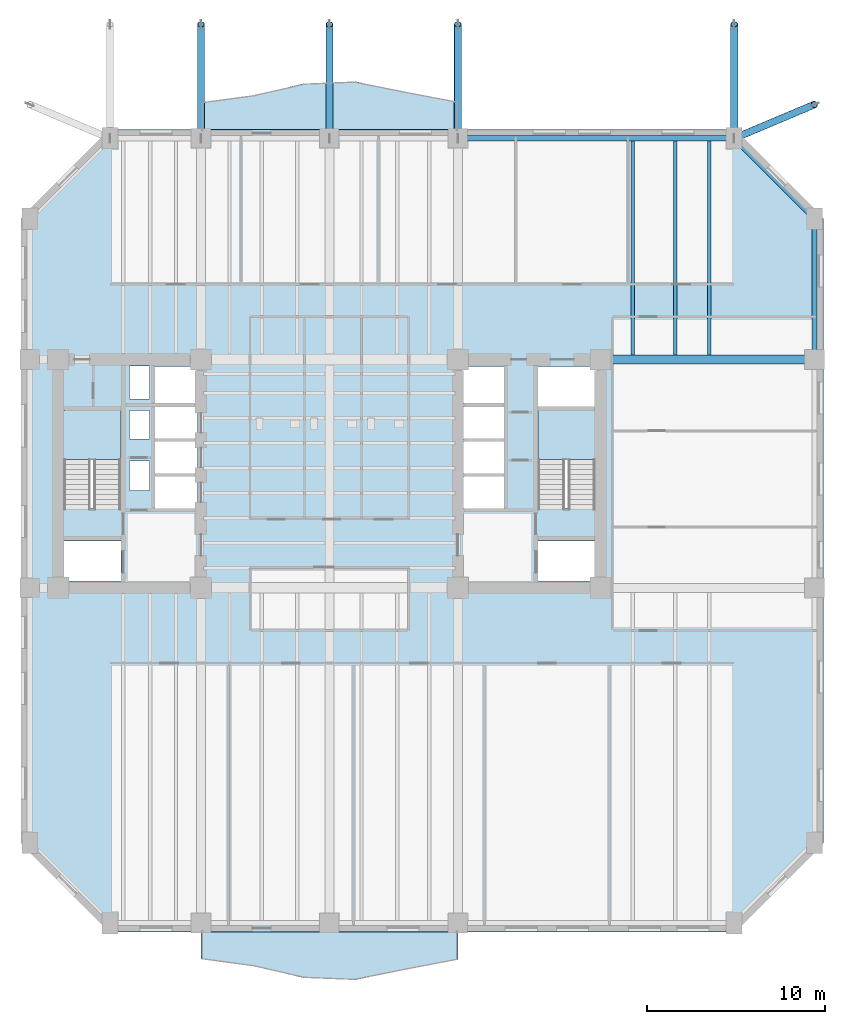
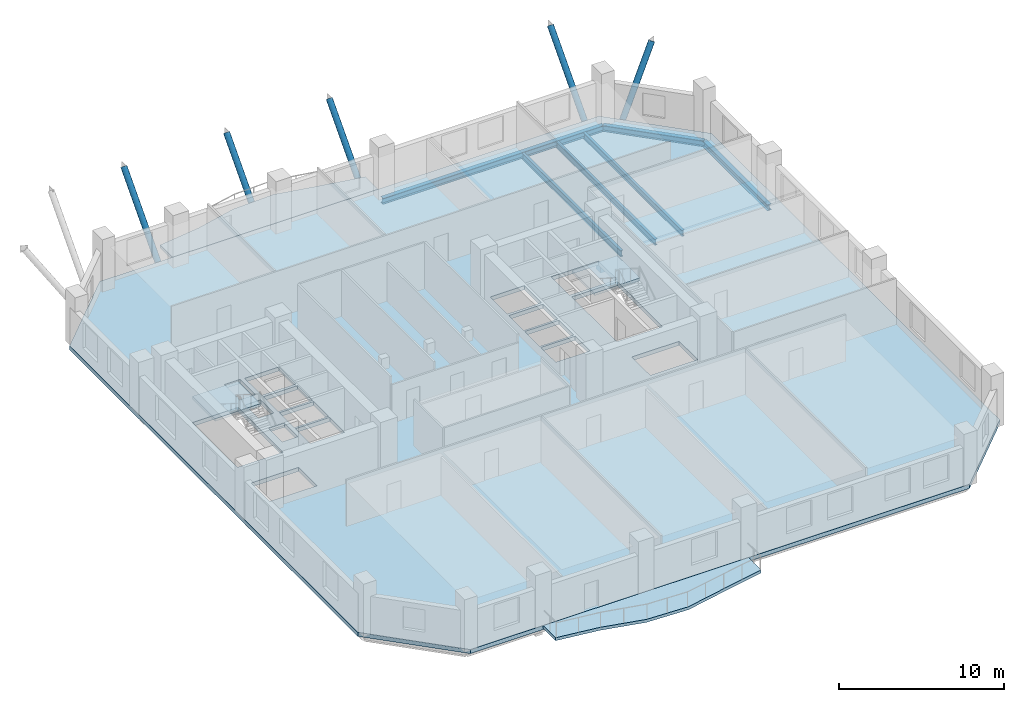
# One storey, part 2 of 12: 7 beams, 5 members, 5 slabs, 2 elements without a shape of their own.
"""IFC4 building model written with IfcOpenShell, lengths in metres."""

import ifcopenshell
import ifcopenshell.guid

model = None  # the IFC model being written
_history = None  # IfcOwnerHistory: only IFC2X3 demands one
_inside = {}  # id of a spatial element -> (the spatial element, [elements in it])
_under = {}  # id of a project, library or spatial element -> (it, [spatial elements below it])
_declared = {}  # id of a project -> (the project, [libraries it declares])
_typed = {}  # id of a type object -> (the type object, [elements of that type])
_made_of = {}  # id of a material, layer set ... -> (it, [elements and type objects made of it])


def new_model(schema):
    """Start an empty IFC model of exactly this schema.

    Asked for "IFC4X3", IfcOpenShell would pick the latest addendum, in which some entities
    have other attributes; the version numbers below select the first issue.
    IFC2X3 requires an IfcOwnerHistory on every rooted entity: one is made here for all.
    """
    global model, _history
    if schema == "IFC4X3":
        model = ifcopenshell.file(schema_version=(4, 3, 0, 0))
    else:
        model = ifcopenshell.file(schema=schema)
    _inside.clear()
    _under.clear()
    _declared.clear()
    _typed.clear()
    _made_of.clear()
    _history = None
    if model.schema == "IFC2X3":
        org = make("IfcOrganization", Name="unknown")
        user = make(
            "IfcPersonAndOrganization",
            ThePerson=make("IfcPerson", FamilyName="unknown"),
            TheOrganization=org,
        )
        app = make(
            "IfcApplication",
            ApplicationDeveloper=org,
            Version="unknown",
            ApplicationFullName="unknown",
            ApplicationIdentifier="unknown",
        )
        _history = make(
            "IfcOwnerHistory",
            OwningUser=user,
            OwningApplication=app,
            ChangeAction="ADDED",
            CreationDate=0,
        )
    return model


def make(cls, **values):
    """One entity of the class cls with the attributes given. An attribute that is None is left unset."""
    return model.create_entity(
        cls, **{name: value for name, value in values.items() if value is not None}
    )


def rooted(cls, **values):
    """An entity with a GlobalId (a new one), such as an element, a storey or a relation."""
    return make(cls, GlobalId=ifcopenshell.guid.new(), OwnerHistory=_history, **values)


def si_unit(unit_type, name, prefix=None):
    """IfcSIUnit, for example si_unit("LENGTHUNIT", "METRE", prefix="MILLI")."""
    return make("IfcSIUnit", UnitType=unit_type, Prefix=prefix, Name=name)


def assignment(units):
    """IfcUnitAssignment: the units of a project."""
    return None if units is None else make("IfcUnitAssignment", Units=units)


def point(xyz):
    """IfcCartesianPoint."""
    return None if xyz is None else make("IfcCartesianPoint", Coordinates=xyz)


def direction(xyz):
    """IfcDirection."""
    return None if xyz is None else make("IfcDirection", DirectionRatios=xyz)


def frame(location, z_axis=None, x_axis=None):
    """IfcAxis2Placement3D, a coordinate frame: its origin and axes. An axis left out is left unset."""
    return make(
        "IfcAxis2Placement3D",
        Location=point(location),
        Axis=direction(z_axis),
        RefDirection=direction(x_axis),
    )


def frame_2d(location, x_axis=None):
    """IfcAxis2Placement2D, a coordinate frame in the plane: its origin and x axis."""
    return make(
        "IfcAxis2Placement2D", Location=point(location), RefDirection=direction(x_axis)
    )


def origin():
    """The frame at (0, 0, 0) with its axes left unset."""
    return frame((0.0, 0.0, 0.0))


def origin_2d():
    """The frame at (0, 0) in the plane with its x axis left unset."""
    return frame_2d((0.0, 0.0))


def place(relative_to, where):
    """IfcLocalPlacement: puts the frame where relative to a parent placement (None: the world)."""
    return make(
        "IfcLocalPlacement", PlacementRelTo=relative_to, RelativePlacement=where
    )


def context(
    kind, dimensions, precision=None, world=None, true_north=None, identifier=None
):
    """IfcGeometricRepresentationContext, for example the 3D "Model" context."""
    return make(
        "IfcGeometricRepresentationContext",
        ContextIdentifier=identifier,
        ContextType=kind,
        CoordinateSpaceDimension=dimensions,
        Precision=precision,
        WorldCoordinateSystem=world,
        TrueNorth=true_north,
    )


def subcontext(parent, identifier, kind, view, scale=None):
    """IfcGeometricRepresentationSubContext, for example "Body" below "Model"."""
    return make(
        "IfcGeometricRepresentationSubContext",
        ContextIdentifier=identifier,
        ContextType=kind,
        ParentContext=parent,
        TargetScale=scale,
        TargetView=view,
    )


def project(units=None, contexts=None):
    """IfcProject with its units and contexts."""
    return rooted(
        "IfcProject",
        Name="project",
        RepresentationContexts=contexts,
        UnitsInContext=assignment(units),
    )


def spatial(cls, under=None, at=None, **own):
    """A site, building, storey or space (cls), placed at a placement, below another one or the project."""
    s = rooted(cls, ObjectPlacement=at, **own)
    if under is not None:
        _under.setdefault(under.id(), (under, []))[1].append(s)
    return s


def polyline(points):
    """IfcPolyline through the points."""
    return make("IfcPolyline", Points=[point(p) for p in points])


def profile(cls, at=None, kind="AREA", **sizes):
    """A parametric profile (cls). Its sizes go by their IFC names, for example OverallWidth=200.0."""
    return make(cls, ProfileType=kind, Position=at, **sizes)


def rectangle(**sizes):
    """IfcRectangleProfileDef."""
    return profile("IfcRectangleProfileDef", **sizes)


def hollow_circle(**sizes):
    """IfcCircleHollowProfileDef."""
    return profile("IfcCircleHollowProfileDef", **sizes)


def i_section(**sizes):
    """IfcIShapeProfileDef."""
    return profile("IfcIShapeProfileDef", **sizes)


def outline(outer, holes=None, kind="AREA"):
    """IfcArbitraryClosedProfileDef: a profile drawn as a closed curve; with holes, ...WithVoids."""
    if holes is None:
        return make("IfcArbitraryClosedProfileDef", ProfileType=kind, OuterCurve=outer)
    return make(
        "IfcArbitraryProfileDefWithVoids",
        ProfileType=kind,
        OuterCurve=outer,
        InnerCurves=holes,
    )


def extrude(swept, where, along, depth):
    """IfcExtrudedAreaSolid: the profile swept, set in the frame where, extruded along a direction by depth."""
    return make(
        "IfcExtrudedAreaSolid",
        SweptArea=swept,
        Position=where,
        ExtrudedDirection=direction(along),
        Depth=depth,
    )


def shape(context_of_items, identifier, shape_type, items):
    """IfcShapeRepresentation: the items that make up one representation, for example the "Body"."""
    return make(
        "IfcShapeRepresentation",
        ContextOfItems=context_of_items,
        RepresentationIdentifier=identifier,
        RepresentationType=shape_type,
        Items=items,
    )


def material(Name=None, Category=None):
    """IfcMaterial."""
    return make("IfcMaterial", Name=Name, Category=Category)


def layer(
    of_material, thickness, ventilated=None, Name=None, Category=None, Priority=None
):
    """IfcMaterialLayer: one layer of a wall or slab, of a material (None: an air gap)."""
    return make(
        "IfcMaterialLayer",
        Material=of_material,
        LayerThickness=thickness,
        IsVentilated=ventilated,
        Name=Name,
        Category=Category,
        Priority=Priority,
    )


def layer_set(layers, Name=None):
    """IfcMaterialLayerSet."""
    return make("IfcMaterialLayerSet", MaterialLayers=layers, LayerSetName=Name)


def material_profile(
    of_material, cross_section, Name=None, Category=None, Priority=None
):
    """IfcMaterialProfile: a cross section and its material."""
    return make(
        "IfcMaterialProfile",
        Name=Name,
        Material=of_material,
        Profile=cross_section,
        Priority=Priority,
        Category=Category,
    )


def profile_set(profiles, Name=None, composite=None):
    """IfcMaterialProfileSet."""
    return make(
        "IfcMaterialProfileSet",
        Name=Name,
        MaterialProfiles=profiles,
        CompositeProfile=composite,
    )


def made_of(thing, what):
    """Note that an element or type object is made of a material, layer set ...; save() writes the relation."""
    if what is not None:
        _made_of.setdefault(what.id(), (what, []))[1].append(thing)
    return thing


def type_object(cls, material=None, **own):
    """A type object (cls), such as IfcWallType, which elements share."""
    return made_of(rooted(cls, **own), material)


def element(
    cls,
    number,
    at=None,
    inside=None,
    cuts=None,
    type_object=None,
    material=None,
    context=None,
    identifier="Body",
    shape_type=None,
    held_by="IfcProductDefinitionShape",
    body=None,
    shapes=None,
    **own,
):
    """One element of the class cls, such as IfcWall. Its Tag is "e" and its number.

    at: its placement. inside: the storey or other place that contains it. cuts: it is an
    opening in that element (IfcRelVoidsElement). A single representation is given by context,
    identifier, shape_type and body (its items); several are given by shapes. held_by: the class
    of the entity that holds the representations. save() writes the other relations.
    """
    e = rooted(cls, Tag="e%d" % number, ObjectPlacement=at, **own)
    if body is not None:
        shapes = [shape(context, identifier, shape_type, body)]
    if shapes is not None:
        e.Representation = make(held_by, Representations=shapes)
    if inside is not None:
        _inside.setdefault(inside.id(), (inside, []))[1].append(e)
    if cuts is not None:
        rooted(
            "IfcRelVoidsElement", RelatingBuildingElement=cuts, RelatedOpeningElement=e
        )
    if type_object is not None:
        _typed.setdefault(type_object.id(), (type_object, []))[1].append(e)
    return made_of(e, material)


def aggregate(whole, parts):
    """IfcRelAggregates: a whole, such as a stair, and the parts it consists of."""
    return rooted("IfcRelAggregates", RelatingObject=whole, RelatedObjects=parts)


def save(model, path):
    """Write the relations noted so far, then the file.

    IfcRelAggregates (storeys below a building ...), IfcRelContainedInSpatialStructure (elements
    in a storey), IfcRelDefinesByType, IfcRelAssociatesMaterial and IfcRelDeclares: one each for
    every whole, place, type object, material and project.
    """
    for whole, parts in _under.values():
        aggregate(whole, parts)
    for where, things in _inside.values():
        rooted(
            "IfcRelContainedInSpatialStructure",
            RelatedElements=things,
            RelatingStructure=where,
        )
    for kind, things in _typed.values():
        rooted("IfcRelDefinesByType", RelatedObjects=things, RelatingType=kind)
    for what, things in _made_of.values():
        rooted("IfcRelAssociatesMaterial", RelatedObjects=things, RelatingMaterial=what)
    for by, libraries in _declared.values():
        rooted("IfcRelDeclares", RelatingContext=by, RelatedDefinitions=libraries)
    model.write(path)


model = new_model("IFC4")

# Units and contexts
model_context = context("Model", 3, precision=1e-05, world=origin(), true_north=direction((0.0, 1.0)))
body_context = subcontext(model_context, "Body", "Model", "MODEL_VIEW")
ifc_project = project(units=[si_unit("LENGTHUNIT", "METRE"), si_unit("AREAUNIT", "SQUARE_METRE"), si_unit("VOLUMEUNIT", "CUBIC_METRE"), si_unit("PLANEANGLEUNIT", "RADIAN"), si_unit("MASSUNIT", "GRAM", prefix="KILO")], contexts=[model_context])

# Site, building, storey
site_placement = place(None, origin())
site = spatial("IfcSite", under=ifc_project, at=site_placement, CompositionType="ELEMENT")
building_placement = place(site_placement, origin())
building = spatial("IfcBuilding", under=site, at=building_placement, Name="Kranthara Brick Stack", CompositionType="ELEMENT")
storey_placement = place(building_placement, frame((0.0, 0.0, 67.199951171875)))
storey = spatial("IfcBuildingStorey", under=building, at=storey_placement, Name="L16", CompositionType="ELEMENT", Elevation=67.199951171875)

# Beams
ifc_material_1 = material(Name="Post-tensioned concrete C45/55", Category="concrete")
ifc_material_profile_1 = material_profile(ifc_material_1, rectangle(XDim=0.5, YDim=0.75, at=origin_2d()), Name="PT 500x750")
ifc_profile_set_1 = profile_set([ifc_material_profile_1], Name="Post-tensioned concrete C45/55")
beam_type_1 = type_object("IfcBeamType", Name="BM-FLR-PT750", PredefinedType="BEAM", material=ifc_profile_set_1)
beam_1_placement = place(storey_placement, frame((43.199951171875, 33.60009765625, -0.675048828125), z_axis=(1.0, 0.0, 0.0), x_axis=(0.0, 1.0, 0.0)))
element("IfcBeam", 1, at=beam_1_placement, inside=storey, type_object=beam_type_1, Name="L16 Primary Grid Girder 033", PredefinedType="BEAM", context=body_context, shape_type="SweptSolid", body=[
    extrude(rectangle(XDim=0.5, YDim=0.75, at=origin_2d()), origin(), (0.0, 0.0, 1.0), 12.0),
])
ifc_material_2 = material(Name="Steel S355", Category="steel")
ifc_material_profile_2 = material_profile(ifc_material_2, i_section(OverallWidth=0.18994140625, OverallDepth=0.449951171875, WebThickness=0.009521484375, FlangeThickness=0.0146484375, at=origin_2d()), Name="IPE 450")
ifc_profile_set_2 = profile_set([ifc_material_profile_2], Name="Steel S355")
beam_type_2 = type_object("IfcBeamType", Name="BM-JST-IPE450", PredefinedType="JOIST", material=ifc_profile_set_2)
for number, where, z_axis, x_axis, name in (
    (2, (45.0, 33.85009765625, -0.52490234375), (0.0, 1.0, 0.0), (-1.0, 0.0, 0.0), "L16 North Wing Floor Joist 071"),
    (3, (47.39990234375, 33.85009765625, -0.52490234375), (0.0, 1.0, 0.0), (-1.0, 0.0, 0.0), "L16 North Wing Floor Joist 073"),
    (4, (49.300048828125, 33.85009765625, -0.52490234375), (0.0, 1.0, 0.0), (-1.0, 0.0, 0.0), "L16 North Wing Floor Joist 075"),
):
    element("IfcBeam", number, at=place(storey_placement, frame(where, z_axis=z_axis, x_axis=x_axis)), inside=storey, type_object=beam_type_2, Name=name, PredefinedType="JOIST", context=body_context, shape_type="SweptSolid", body=[
        extrude(i_section(OverallWidth=0.18994140625, OverallDepth=0.449951171875, WebThickness=0.009521484375, FlangeThickness=0.0146484375, at=origin_2d()), origin(), (0.0, 0.0, 1.0), 12.0),
    ])
ifc_material_3 = material(Name="Steel S355", Category="steel")
ifc_material_profile_3 = material_profile(ifc_material_3, i_section(OverallWidth=0.300048828125, OverallDepth=0.449951171875, WebThickness=0.013916015625, FlangeThickness=0.02587890625, at=origin_2d()), Name="HEB 450")
ifc_profile_set_3 = profile_set([ifc_material_profile_3], Name="Steel S355")
beam_type_3 = type_object("IfcBeamType", Name="BM-STL-HEB450", PredefinedType="SPANDREL", material=ifc_profile_set_3)
beam_2_placement = place(storey_placement, frame((35.199951171875, 46.0, -0.52490234375), z_axis=(1.0, 0.0, 0.0), x_axis=(0.0, 1.0, 0.0)))
element("IfcBeam", 5, at=beam_2_placement, inside=storey, type_object=beam_type_3, Name="L16 Perimeter Spandrel Beam 012", PredefinedType="SPANDREL", context=body_context, shape_type="SweptSolid", body=[
    extrude(i_section(OverallWidth=0.300048828125, OverallDepth=0.449951171875, WebThickness=0.013916015625, FlangeThickness=0.02587890625, at=origin_2d()), origin(), (0.0, 0.0, 1.0), 15.5),
])
beam_3_placement = place(storey_placement, frame((55.199951171875, 33.60009765625, -0.52490234375), z_axis=(0.0, 1.0, 0.0), x_axis=(-1.0, 0.0, 0.0)))
element("IfcBeam", 6, at=beam_3_placement, inside=storey, type_object=beam_type_3, Name="L16 Perimeter Spandrel Beam 018", PredefinedType="SPANDREL", context=body_context, shape_type="SweptSolid", body=[
    extrude(i_section(OverallWidth=0.300048828125, OverallDepth=0.449951171875, WebThickness=0.013916015625, FlangeThickness=0.02587890625, at=origin_2d()), origin(), (0.0, 0.0, 1.0), 7.89990234375),
])
beam_4_placement = place(storey_placement, frame((50.699951171875, 46.0, -0.52490234375), z_axis=(0.707106781187, -0.707106781187, 0.0), x_axis=(0.707106781187, 0.707106781187, 0.0)))
element("IfcBeam", 7, at=beam_4_placement, inside=storey, type_object=beam_type_3, Name="L16 Chamfer Corner Spandrel 022", PredefinedType="SPANDREL", context=body_context, shape_type="SweptSolid", body=[
    extrude(i_section(OverallWidth=0.300048828125, OverallDepth=0.449951171875, WebThickness=0.013916015625, FlangeThickness=0.02587890625, at=origin_2d()), origin(), (0.0, 0.0, 1.0), 6.364013671875),
])

# Members
ifc_material_4 = material(Name="Steel S460", Category="steel")
ifc_material_profile_4 = material_profile(ifc_material_4, hollow_circle(Radius=0.203125, WallThickness=0.02001953125, at=origin_2d()), Name="CHS 406.4x20")
ifc_profile_set_4 = profile_set([ifc_material_profile_4], Name="Steel S460")
member_type = type_object("IfcMemberType", Name="MB-STR-CHS406", PredefinedType="STRUT", material=ifc_profile_set_4)
for number, where, z_axis, x_axis, name in (
    (8, (20.800048828125, 46.0, -3.89990234375), (0.0, 0.672141710371, 0.740422528816), (-1.0, 0.0, 0.0), "L17 Jenga Raked Transfer Strut 08"),
    (9, (28.0, 46.0, -3.89990234375), (0.0, 0.672141710371, 0.740422528816), (-1.0, 0.0, 0.0), "L17 Jenga Raked Transfer Strut 09"),
    (10, (35.199951171875, 46.0, -3.89990234375), (0.0, 0.672141710371, 0.740422528816), (-1.0, 0.0, 0.0), "L17 Jenga Raked Transfer Strut 10"),
    (11, (50.699951171875, 46.0, -3.89990234375), (0.0, 0.672141710371, 0.740422528816), (-1.0, 0.0, 0.0), "L17 Jenga Raked Transfer Strut 11"),
):
    element("IfcMember", number, at=place(storey_placement, frame(where, z_axis=z_axis, x_axis=x_axis)), inside=storey, type_object=member_type, Name=name, PredefinedType="STRUT", context=body_context, shape_type="SweptSolid", body=[
        extrude(hollow_circle(Radius=0.203125, WallThickness=0.02001953125, at=origin_2d()), origin(), (0.0, 0.0, 1.0), 9.521728515625),
    ])
member_placement = place(storey_placement, frame((50.699951171875, 46.0, -3.89990234375), z_axis=(0.524666501727, 0.221514470293, 0.821983212369), x_axis=(-0.388955069282, 0.921256725392, 0.0)))
element("IfcMember", 12, at=member_placement, inside=storey, type_object=member_type, Name="L17 Jenga Raked Transfer Strut 13", PredefinedType="STRUT", context=body_context, shape_type="SweptSolid", body=[
    extrude(hollow_circle(Radius=0.203125, WallThickness=0.02001953125, at=origin_2d()), origin(), (0.0, 0.0, 1.0), 8.576904296875),
])

# Slabs
ifc_material_5 = material(Name="Concrete C45/55", Category="concrete")
ifc_layer_1 = layer(ifc_material_5, 0.219970703125)
ifc_layer_set_1 = layer_set([ifc_layer_1], Name="Concrete C45/55")
slab_type_1 = type_object("IfcSlabType", Name="SLB-BALC-220", PredefinedType="FLOOR", material=ifc_layer_set_1)
slab_1_placement = place(storey_placement, frame((0.0, 0.0, -0.219970703125)))
element("IfcSlab", 13, at=slab_1_placement, inside=storey, type_object=slab_type_1, Name="L16 South Rippling Balcony Slab", PredefinedType="FLOOR", context=body_context, shape_type="SweptSolid", body=[
    extrude(outline(polyline([(20.800048828125, 1.5), (35.199951171875, 1.5), (35.199951171875, -0.033935546875), (32.320068359375, -0.593994140625), (29.43994140625, -1.193115234375), (26.56005859375, -1.077880859375), (23.679931640625, -0.39306640625), (20.800048828125, 0.0), (20.800048828125, 1.5)])), origin(), (0.0, 0.0, 1.0), 0.219970703125),
])
slab_2_placement = place(storey_placement, frame((0.0, 0.0, -0.219970703125)))
element("IfcSlab", 14, at=slab_2_placement, inside=storey, type_object=slab_type_1, Name="L16 North Rippling Balcony Slab", PredefinedType="FLOOR", context=body_context, shape_type="SweptSolid", body=[
    extrude(outline(polyline([(35.199951171875, 46.5), (20.800048828125, 46.5), (20.800048828125, 48.0), (23.679931640625, 48.39306640625), (26.56005859375, 49.077880859375), (29.43994140625, 49.193115234375), (32.320068359375, 48.593994140625), (35.199951171875, 48.033935546875), (35.199951171875, 46.5)])), origin(), (0.0, 0.0, 1.0), 0.219970703125),
])

# Stair, slab
ifc_material_6 = material(Name="Concrete C45/55", Category="concrete")
stair_type = type_object("IfcStairType", Name="ST-CORE-22R", PredefinedType="HALF_TURN_STAIR", material=ifc_material_6)
stair_1_placement = place(storey_placement, origin())
stair_1 = element("IfcStair", 15, at=stair_1_placement, inside=storey, type_object=stair_type, Name="L16 West Core Protected Exit Stair ST01", PredefinedType="HALF_TURN_STAIR")
ifc_material_7 = material(Name="Concrete C45/55", Category="concrete")
ifc_layer_2 = layer(ifc_material_7, 0.199951171875)
ifc_layer_set_2 = layer_set([ifc_layer_2], Name="Concrete C45/55")
slab_type_2 = type_object("IfcSlabType", Name="SLB-LANDING-200", PredefinedType="LANDING", material=ifc_layer_set_2)
slab_3_placement = place(storey_placement, frame((0.0, 0.0, 1.75)))
slab_3 = element("IfcSlab", 16, at=slab_3_placement, type_object=slab_type_2, Name="ST01 landing 1", PredefinedType="LANDING", context=body_context, shape_type="SweptSolid", body=[
    extrude(outline(polyline([(16.300048828125, 28.0), (16.300048828125, 30.75), (13.10009765625, 30.75), (13.10009765625, 28.0), (16.300048828125, 28.0)])), origin(), (0.0, 0.0, 1.0), 0.199951171875),
])
aggregate(stair_1, [slab_3])

stair_2_placement = place(storey_placement, origin())
stair_2 = element("IfcStair", 17, at=stair_2_placement, inside=storey, type_object=stair_type, Name="L16 East Core Protected Exit Stair ST02", PredefinedType="HALF_TURN_STAIR")
slab_4_placement = place(storey_placement, frame((0.0, 0.0, 1.75)))
slab_4 = element("IfcSlab", 18, at=slab_4_placement, type_object=slab_type_2, Name="ST02 landing 1", PredefinedType="LANDING", context=body_context, shape_type="SweptSolid", body=[
    extrude(outline(polyline([(42.89990234375, 28.0), (42.89990234375, 30.75), (39.699951171875, 30.75), (39.699951171875, 28.0), (42.89990234375, 28.0)])), origin(), (0.0, 0.0, 1.0), 0.199951171875),
])
aggregate(stair_2, [slab_4])

# Slab
ifc_material_8 = material(Name="Post-tensioned concrete C45/55", Category="concrete")
ifc_layer_3 = layer(ifc_material_8, 0.300048828125)
ifc_layer_set_3 = layer_set([ifc_layer_3], Name="Post-tensioned concrete C45/55")
slab_type_3 = type_object("IfcSlabType", Name="SLB-TWR-300", PredefinedType="FLOOR", material=ifc_layer_set_3)
slab_5_placement = place(storey_placement, frame((0.0, 0.0, -0.300048828125)))
element("IfcSlab", 19, at=slab_5_placement, inside=storey, type_object=slab_type_3, Name="L16 Structural Floor Plate", PredefinedType="FLOOR", context=body_context, shape_type="SweptSolid", body=[
    extrude(outline(polyline([(15.699951171875, 1.5), (50.699951171875, 1.5), (55.699951171875, 6.5), (55.699951171875, 41.5), (50.699951171875, 46.5), (15.699951171875, 46.5), (10.699951171875, 41.5), (10.699951171875, 6.5), (15.699951171875, 1.5)]), holes=[polyline([(13.10009765625, 25.280029296875), (16.300048828125, 25.280029296875), (16.300048828125, 30.75), (13.10009765625, 30.75), (13.10009765625, 25.280029296875)]), polyline([(39.699951171875, 25.280029296875), (42.89990234375, 25.280029296875), (42.89990234375, 30.75), (39.699951171875, 30.75), (39.699951171875, 25.280029296875)]), polyline([(13.0, 21.179931640625), (16.320068359375, 21.179931640625), (16.320068359375, 23.419921875), (13.0, 23.419921875), (13.0, 21.179931640625)]), polyline([(39.679931640625, 21.179931640625), (43.0, 21.179931640625), (43.0, 23.419921875), (39.679931640625, 23.419921875), (39.679931640625, 21.179931640625)]), polyline([(39.679931640625, 30.97998046875), (43.0, 30.97998046875), (43.0, 33.219970703125), (39.679931640625, 33.219970703125), (39.679931640625, 30.97998046875)]), polyline([(18.199951171875, 25.25), (20.60009765625, 25.25), (20.60009765625, 27.050048828125), (18.199951171875, 27.050048828125), (18.199951171875, 25.25)]), polyline([(18.199951171875, 27.199951171875), (20.60009765625, 27.199951171875), (20.60009765625, 29.0), (18.199951171875, 29.0), (18.199951171875, 27.199951171875)]), polyline([(18.199951171875, 29.14990234375), (20.60009765625, 29.14990234375), (20.60009765625, 30.949951171875), (18.199951171875, 30.949951171875), (18.199951171875, 29.14990234375)]), polyline([(35.39990234375, 25.25), (37.800048828125, 25.25), (37.800048828125, 27.050048828125), (35.39990234375, 27.050048828125), (35.39990234375, 25.25)]), polyline([(35.39990234375, 27.199951171875), (37.800048828125, 27.199951171875), (37.800048828125, 29.0), (35.39990234375, 29.0), (35.39990234375, 27.199951171875)]), polyline([(35.39990234375, 29.14990234375), (37.800048828125, 29.14990234375), (37.800048828125, 30.949951171875), (35.39990234375, 30.949951171875), (35.39990234375, 29.14990234375)]), polyline([(18.199951171875, 31.14990234375), (20.60009765625, 31.14990234375), (20.60009765625, 33.219970703125), (18.199951171875, 33.219970703125), (18.199951171875, 31.14990234375)]), polyline([(35.39990234375, 31.14990234375), (37.800048828125, 31.14990234375), (37.800048828125, 33.219970703125), (35.39990234375, 33.219970703125), (35.39990234375, 31.14990234375)]), polyline([(16.800048828125, 26.25), (17.89990234375, 26.25), (17.89990234375, 27.89990234375), (16.800048828125, 27.89990234375), (16.800048828125, 26.25)]), polyline([(16.800048828125, 29.14990234375), (17.89990234375, 29.14990234375), (17.89990234375, 30.75), (16.800048828125, 30.75), (16.800048828125, 29.14990234375)]), polyline([(16.800048828125, 31.39990234375), (17.89990234375, 31.39990234375), (17.89990234375, 33.25), (16.800048828125, 33.25), (16.800048828125, 31.39990234375)])]), origin(), (0.0, 0.0, 1.0), 0.300048828125),
])

save(model, "model.ifc")
